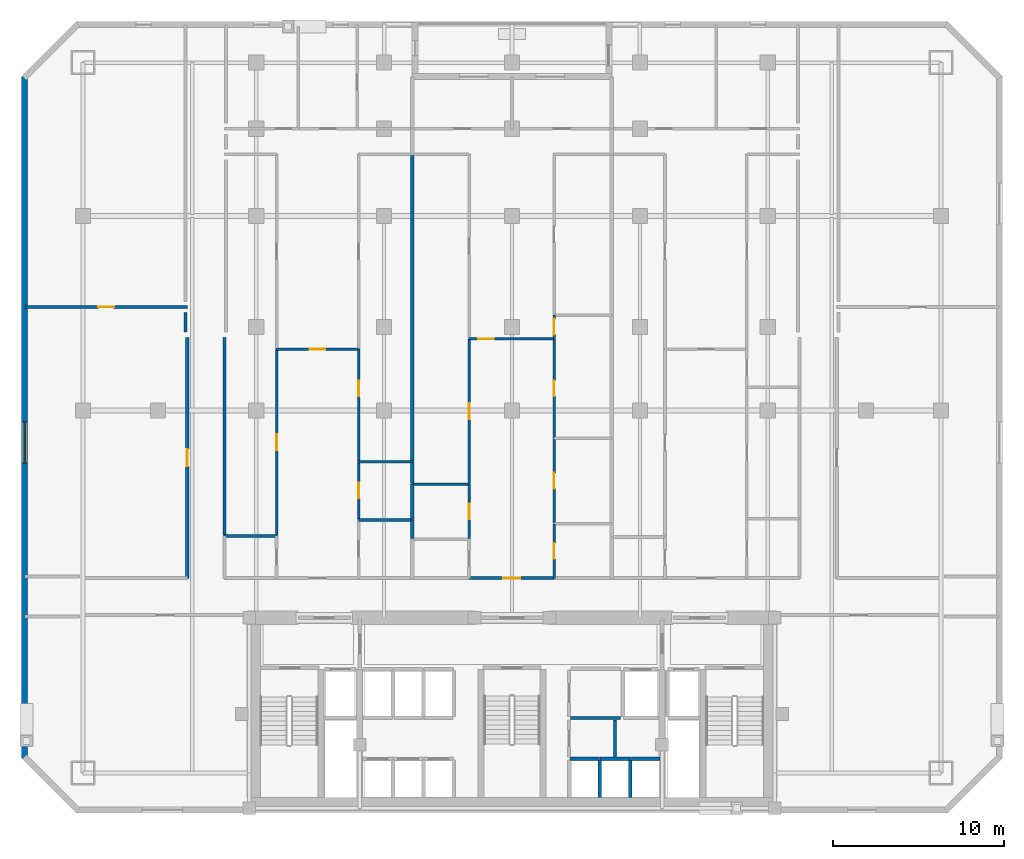
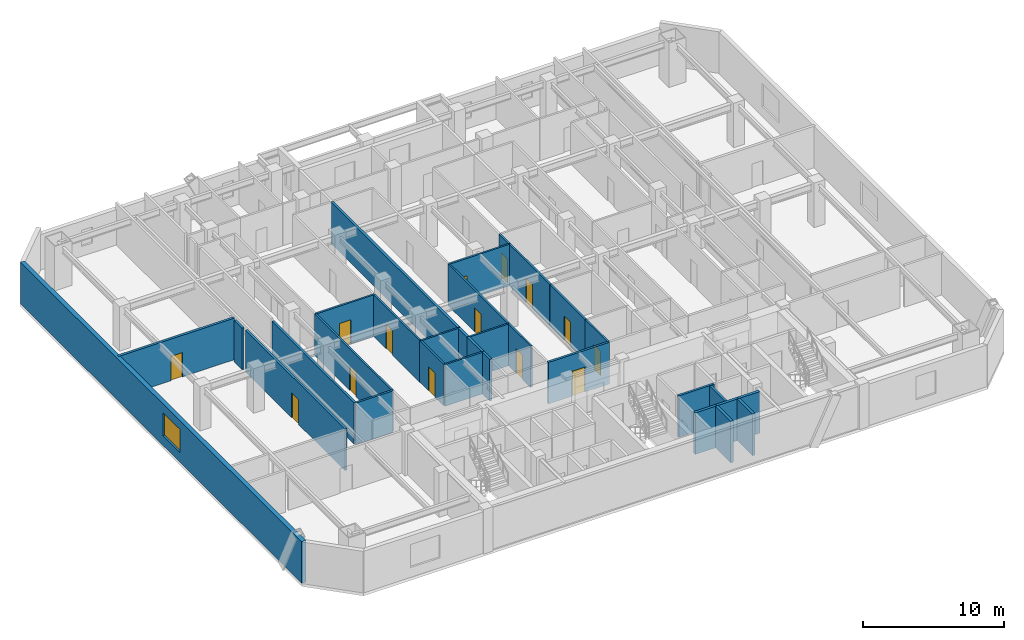
# One storey, part 4 of 9: 32 walls, 14 doors, 1 window, 15 openings.
"""IFC4 building model written with IfcOpenShell, lengths in metres."""

from ifc_helpers import new_model, si_unit, direction, frame, frame_2d, origin, place, context, subcontext, project, spatial, rectangle, extrude, material, layer, layer_set, type_object, element, fill, save


model = new_model("IFC4")

# Units and contexts
model_context = context("Model", 3, precision=1e-05, world=origin(), true_north=direction((0.0, 1.0)))
body_context = subcontext(model_context, "Body", "Model", "MODEL_VIEW")
ifc_project = project(units=[si_unit("LENGTHUNIT", "METRE"), si_unit("AREAUNIT", "SQUARE_METRE"), si_unit("VOLUMEUNIT", "CUBIC_METRE"), si_unit("PLANEANGLEUNIT", "RADIAN"), si_unit("MASSUNIT", "GRAM", prefix="KILO")], contexts=[model_context])

# Site, building, storey
site_placement = place(None, origin())
site = spatial("IfcSite", under=ifc_project, at=site_placement, CompositionType="ELEMENT")
building_placement = place(site_placement, origin())
building = spatial("IfcBuilding", under=site, at=building_placement, Name="Ventersveld Concourse Tower", CompositionType="ELEMENT")
storey_placement = place(building_placement, frame((0.0, 0.0, 52.89990234375)))
storey = spatial("IfcBuildingStorey", under=building, at=storey_placement, Name="L12", CompositionType="ELEMENT", Elevation=52.89990234375)

# Walls
ifc_material_1 = material(Name="Fire-rated autoclaved aerated masonry blockwork", Category="masonry")
ifc_layer_1 = layer(ifc_material_1, 0.179931640625)
ifc_layer_set_1 = layer_set([ifc_layer_1], Name="Fire-rated autoclaved aerated masonry blockwork")
wall_type_1 = type_object("IfcWallType", Name="WL-CORR-180", PredefinedType="PARTITIONING", material=ifc_layer_set_1)
wall_1_placement = place(storey_placement, frame((32.179931640625, 5.570068359375, 0.0), z_axis=(0.0, 0.0, 1.0), x_axis=(1.0, 0.0, 0.0)))
element("IfcWall", 1, at=wall_1_placement, inside=storey, type_object=wall_type_1, Name="L12 Core Bot Wall SP-L12-CBAY1", PredefinedType="PARTITIONING", context=body_context, shape_type="SweptSolid", body=[
    extrude(rectangle(XDim=2.920166015625, YDim=0.179931640625, at=frame_2d((1.4599609375, 0.0))), origin(), (0.0, 0.0, 1.0), 3.60009765625),
])
wall_2_placement = place(storey_placement, frame((34.780029296875, 3.280029296875, 0.0), z_axis=(0.0, 0.0, 1.0), x_axis=(0.0, 1.0, 0.0)))
element("IfcWall", 2, at=wall_2_placement, inside=storey, type_object=wall_type_1, Name="L12 Core East Wall SP-L12-CBAY2", PredefinedType="PARTITIONING", context=body_context, shape_type="SweptSolid", body=[
    extrude(rectangle(XDim=2.169921875, YDim=0.179931640625, at=frame_2d((1.0849609375, 0.0))), origin(), (0.0, 0.0, 1.0), 3.60009765625),
])

# Wall, opening, door
wall_3_placement = place(storey_placement, frame((9.7099609375, 13.764892578125, 0.0), z_axis=(0.0, 0.0, 1.0), x_axis=(0.0, 1.0, 0.0)))
wall_3 = element("IfcWall", 3, at=wall_3_placement, inside=storey, type_object=wall_type_1, Name="L12 Interior Partition SP-L12-COR-SP-L12-NWLNG1", PredefinedType="PARTITIONING", context=body_context, shape_type="SweptSolid", body=[
    extrude(rectangle(XDim=14.130126953125, YDim=0.179931640625, at=frame_2d((7.06494140625, 0.0))), origin(), (0.0, 0.0, 1.0), 3.60009765625),
])
opening_1_placement = place(wall_3_placement, frame((6.56494140625, 0.0, 0.0)))
opening_1 = element("IfcOpeningElement", 4, at=opening_1_placement, cuts=wall_3, Name="Opening FD3", PredefinedType="OPENING", context=body_context, shape_type="SweptSolid", body=[
    extrude(rectangle(XDim=1.0, YDim=2.14990234375, at=frame_2d((0.5, 1.074951171875))), frame((0.0, 0.10009765625, 0.0), z_axis=(0.0, -1.0, 0.0), x_axis=(1.0, 0.0, 0.0)), (0.0, 0.0, 1.0), 0.199951171875),
])
ifc_material_2 = material(Name="Solid-core hardwood veneer timber", Category="wood")
door_type_1 = type_object("IfcDoorType", Name="DR-FLAT-100", OperationType="NOTDEFINED", PredefinedType="DOOR", material=ifc_material_2)
door_1_placement = place(opening_1_placement, origin())
door_1 = element("IfcDoor", 5, at=door_1_placement, inside=storey, type_object=door_type_1, Name="L12 Interior Door SP-L12-COR to SP-L12-NWLNG1 (D-L12-0489)", OperationType="SINGLE_SWING_LEFT", OverallHeight=2.14990234375, OverallWidth=1.0, PredefinedType="DOOR", context=body_context, shape_type="SweptSolid", body=[
    extrude(rectangle(XDim=1.0, YDim=2.14990234375, at=frame_2d((0.5, 1.074951171875))), frame((0.0, 0.02490234375, 0.0), z_axis=(0.0, -1.0, 0.0), x_axis=(1.0, 0.0, 0.0)), (0.0, 0.0, 1.0), 0.050048828125),
])
fill(opening_1, door_1)

# Wall
wall_4_placement = place(storey_placement, frame((11.889892578125, 16.275390625, 0.0), z_axis=(0.0, 0.0, 1.0), x_axis=(0.0, 1.0, 0.0)))
element("IfcWall", 6, at=wall_4_placement, inside=storey, type_object=wall_type_1, Name="L12 Interior Partition SP-L12-COR-SP-L12-12CW-OFFL0", PredefinedType="PARTITIONING", context=body_context, shape_type="SweptSolid", body=[
    extrude(rectangle(XDim=11.61962890625, YDim=0.179931640625, at=frame_2d((5.809814453125, 0.0))), origin(), (0.0, 0.0, 1.0), 3.60009765625),
])

# Wall, opening, door
wall_5_placement = place(storey_placement, frame((26.231201171875, 13.77001953125, 0.0), z_axis=(0.0, 0.0, 1.0), x_axis=(1.0, 0.0, 0.0)))
wall_5 = element("IfcWall", 7, at=wall_5_placement, inside=storey, type_object=wall_type_1, Name="L12 Interior Partition SP-L12-COR-SP-L12-12CM-FOY", PredefinedType="PARTITIONING", context=body_context, shape_type="SweptSolid", body=[
    extrude(rectangle(XDim=4.989990234375, YDim=0.179931640625, at=frame_2d((2.4951171875, 0.0))), origin(), (0.0, 0.0, 1.0), 3.60009765625),
])
opening_2_placement = place(wall_5_placement, frame((1.9951171875, 0.0, 0.0)))
opening_2 = element("IfcOpeningElement", 8, at=opening_2_placement, cuts=wall_5, Name="Opening FD3", PredefinedType="OPENING", context=body_context, shape_type="SweptSolid", body=[
    extrude(rectangle(XDim=1.0, YDim=2.14990234375, at=frame_2d((0.5, 1.074951171875))), frame((0.0, 0.10009765625, 0.0), z_axis=(0.0, -1.0, 0.0), x_axis=(1.0, 0.0, 0.0)), (0.0, 0.0, 1.0), 0.199951171875),
])
door_2_placement = place(opening_2_placement, origin())
door_2 = element("IfcDoor", 9, at=door_2_placement, inside=storey, type_object=door_type_1, Name="L12 Interior Door SP-L12-COR to SP-L12-12CM-FOY (FD-L12-0493)", OperationType="SINGLE_SWING_LEFT", OverallHeight=2.14990234375, OverallWidth=1.0, PredefinedType="DOOR", context=body_context, shape_type="SweptSolid", body=[
    extrude(rectangle(XDim=1.0, YDim=2.14990234375, at=frame_2d((0.5, 1.074951171875))), frame((0.0, 0.02490234375, 0.0), z_axis=(0.0, -1.0, 0.0), x_axis=(1.0, 0.0, 0.0)), (0.0, 0.0, 1.0), 0.050048828125),
])
fill(opening_2, door_2)

# Wall
wall_6_placement = place(storey_placement, frame((9.6201171875, 29.344970703125, 0.0), z_axis=(0.0, 0.0, 1.0), x_axis=(0.0, -1.0, 0.0)))
element("IfcWall", 10, at=wall_6_placement, inside=storey, type_object=wall_type_1, Name="L12 Room Enclosure Wall SP-L12-NWLNG1", PredefinedType="PARTITIONING", context=body_context, shape_type="SweptSolid", body=[
    extrude(rectangle(XDim=1.135009765625, YDim=0.179931640625, at=frame_2d((0.5673828125, 0.0))), origin(), (0.0, 0.0, 1.0), 3.60009765625),
])

# Wall, opening, door
ifc_layer_2 = layer(ifc_material_1, 0.199951171875)
ifc_layer_set_2 = layer_set([ifc_layer_2], Name="Fire-rated autoclaved aerated masonry blockwork")
wall_type_2 = type_object("IfcWallType", Name="WL-DEMISE-200", PredefinedType="PARTITIONING", material=ifc_layer_set_2)
wall_7_placement = place(storey_placement, frame((0.2099609375, 29.669921875, 0.0), z_axis=(0.0, 0.0, 1.0), x_axis=(1.0, 0.0, 0.0)))
wall_7 = element("IfcWall", 11, at=wall_7_placement, inside=storey, type_object=wall_type_2, Name="L12 Interior Partition SP-L12-NWLNG1-SP-L12-NWLNG2", PredefinedType="PARTITIONING", context=body_context, shape_type="SweptSolid", body=[
    extrude(rectangle(XDim=9.505126953125, YDim=0.199951171875, at=frame_2d((4.75244140625, 0.0))), origin(), (0.0, 0.0, 1.0), 3.60009765625),
])
opening_3_placement = place(wall_7_placement, frame((4.29248046875, 0.0, 0.0)))
opening_3 = element("IfcOpeningElement", 12, at=opening_3_placement, cuts=wall_7, Name="Opening ID1", PredefinedType="OPENING", context=body_context, shape_type="SweptSolid", body=[
    extrude(rectangle(XDim=0.919921875, YDim=2.10009765625, at=frame_2d((0.4599609375, 1.050048828125))), frame((0.0, 0.10986328125, 0.0), z_axis=(0.0, -1.0, 0.0), x_axis=(1.0, 0.0, 0.0)), (0.0, 0.0, 1.0), 0.219970703125),
])
door_type_2 = type_object("IfcDoorType", Name="DR-ROOM-092", OperationType="NOTDEFINED", PredefinedType="DOOR", material=ifc_material_2)
door_3_placement = place(opening_3_placement, origin())
door_3 = element("IfcDoor", 13, at=door_3_placement, inside=storey, type_object=door_type_2, Name="L12 Interior Door SP-L12-NWLNG1 to SP-L12-NWLNG2 (D-L12-0494)", OperationType="SINGLE_SWING_RIGHT", OverallHeight=2.10009765625, OverallWidth=0.919921875, PredefinedType="DOOR", context=body_context, shape_type="SweptSolid", body=[
    extrude(rectangle(XDim=0.919921875, YDim=2.10009765625, at=frame_2d((0.4599609375, 1.050048828125))), frame((0.0, 0.02490234375, 0.0), z_axis=(0.0, -1.0, 0.0), x_axis=(1.0, 0.0, 0.0)), (0.0, 0.0, 1.0), 0.050048828125),
])
fill(opening_3, door_3)

# Walls
wall_8_placement = place(storey_placement, frame((22.909912109375, 16.082763671875, 0.0), z_axis=(0.0, 0.0, 1.0), x_axis=(0.0, 1.0, 0.0)))
element("IfcWall", 14, at=wall_8_placement, inside=storey, type_object=wall_type_2, Name="L12 Interior Partition SP-L12-12CW-KIT-SP-L12-12CM-PANL0", PredefinedType="PARTITIONING", context=body_context, shape_type="SweptSolid", body=[
    extrude(rectangle(XDim=1.1025390625, YDim=0.199951171875, at=frame_2d((0.55126953125, 0.0))), origin(), (0.0, 0.0, 1.0), 3.60009765625),
])
wall_9_placement = place(storey_placement, frame((22.909912109375, 17.21533203125, 0.0), z_axis=(0.0, 0.0, 1.0), x_axis=(0.0, 1.0, 0.0)))
element("IfcWall", 15, at=wall_9_placement, inside=storey, type_object=wall_type_2, Name="L12 Interior Partition SP-L12-12CW-PANR1-SP-L12-12CM-PANL0", PredefinedType="PARTITIONING", context=body_context, shape_type="SweptSolid", body=[
    extrude(rectangle(XDim=2.06884765625, YDim=0.199951171875, at=frame_2d((1.034423828125, 0.0))), origin(), (0.0, 0.0, 1.0), 3.60009765625),
])
wall_10_placement = place(storey_placement, frame((22.909912109375, 19.314208984375, 0.0), z_axis=(0.0, 0.0, 1.0), x_axis=(0.0, 1.0, 0.0)))
element("IfcWall", 16, at=wall_10_placement, inside=storey, type_object=wall_type_2, Name="L12 Interior Partition SP-L12-12CW-PANR1-SP-L12-12CM-DENL", PredefinedType="PARTITIONING", context=body_context, shape_type="SweptSolid", body=[
    extrude(rectangle(XDim=1.281494140625, YDim=0.199951171875, at=frame_2d((0.640625, 0.0))), origin(), (0.0, 0.0, 1.0), 3.60009765625),
])
wall_11_placement = place(storey_placement, frame((22.909912109375, 20.62548828125, 0.0), z_axis=(0.0, 0.0, 1.0), x_axis=(0.0, 1.0, 0.0)))
element("IfcWall", 17, at=wall_11_placement, inside=storey, type_object=wall_type_2, Name="L12 Interior Partition SP-L12-12CW-DENR-SP-L12-12CM-DENL", PredefinedType="PARTITIONING", context=body_context, shape_type="SweptSolid", body=[
    extrude(rectangle(XDim=17.95947265625, YDim=0.199951171875, at=frame_2d((8.979736328125, 0.0))), origin(), (0.0, 0.0, 1.0), 3.60009765625),
])
ifc_layer_3 = layer(ifc_material_1, 0.219970703125)
ifc_layer_set_3 = layer_set([ifc_layer_3], Name="Fire-rated autoclaved aerated masonry blockwork")
wall_type_3 = type_object("IfcWallType", Name="WL-HOIST-220", PredefinedType="SOLIDWALL", material=ifc_layer_set_3)
wall_12_placement = place(storey_placement, frame((33.89990234375, 0.89990234375, 0.0), z_axis=(0.0, 0.0, 1.0), x_axis=(0.0, 1.0, 0.0)))
element("IfcWall", 18, at=wall_12_placement, inside=storey, type_object=wall_type_3, Name="L12 Lift Hoistway Side Wall PM-01E", PredefinedType="SOLIDWALL", context=body_context, shape_type="SweptSolid", body=[
    extrude(rectangle(XDim=2.2001953125, YDim=0.219970703125, at=frame_2d((1.10009765625, 0.0))), origin(), (0.0, 0.0, 1.0), 3.60009765625),
])
wall_13_placement = place(storey_placement, frame((32.139892578125, 3.179931640625, 0.0), z_axis=(0.0, 0.0, 1.0), x_axis=(1.0, 0.0, 0.0)))
element("IfcWall", 19, at=wall_13_placement, inside=storey, type_object=wall_type_3, Name="L12 Lift Hoistway Front Wall PM-01", PredefinedType="SOLIDWALL", context=body_context, shape_type="SweptSolid", body=[
    extrude(rectangle(XDim=1.739990234375, YDim=0.219970703125, at=frame_2d((0.8701171875, 0.0))), origin(), (0.0, 0.0, 1.0), 3.60009765625),
])
wall_14_placement = place(storey_placement, frame((35.679931640625, 0.89990234375, 0.0), z_axis=(0.0, 0.0, 1.0), x_axis=(0.0, 1.0, 0.0)))
element("IfcWall", 20, at=wall_14_placement, inside=storey, type_object=wall_type_3, Name="L12 Lift Hoistway Side Wall PM-02E", PredefinedType="SOLIDWALL", context=body_context, shape_type="SweptSolid", body=[
    extrude(rectangle(XDim=2.2001953125, YDim=0.219970703125, at=frame_2d((1.10009765625, 0.0))), origin(), (0.0, 0.0, 1.0), 3.60009765625),
])
for number, where, z_axis, x_axis, name in (
    (21, (33.919921875, 3.179931640625, 0.0), (0.0, 0.0, 1.0), (1.0, 0.0, 0.0), "L12 Lift Hoistway Front Wall PM-02"),
    (22, (35.699951171875, 3.179931640625, 0.0), (0.0, 0.0, 1.0), (1.0, 0.0, 0.0), "L12 Lift Hoistway Front Wall PM-03"),
):
    element("IfcWall", number, at=place(storey_placement, frame(where, z_axis=z_axis, x_axis=x_axis)), inside=storey, type_object=wall_type_3, Name=name, PredefinedType="SOLIDWALL", context=body_context, shape_type="SweptSolid", body=[
        extrude(rectangle(XDim=1.739990234375, YDim=0.219970703125, at=frame_2d((0.8701171875, 0.0))), origin(), (0.0, 0.0, 1.0), 3.60009765625),
    ])

# Wall, opening, door
ifc_material_3 = material(Name="Autoclaved aerated masonry blockwork", Category="masonry")
ifc_layer_4 = layer(ifc_material_3, 0.14990234375)
ifc_layer_set_4 = layer_set([ifc_layer_4], Name="Autoclaved aerated masonry blockwork")
wall_type_4 = type_object("IfcWallType", Name="WL-INT-150", PredefinedType="PARTITIONING", material=ifc_layer_set_4)
wall_15_placement = place(storey_placement, frame((14.94677734375, 27.194580078125, 0.0), z_axis=(0.0, 0.0, 1.0), x_axis=(1.0, 0.0, 0.0)))
wall_15 = element("IfcWall", 23, at=wall_15_placement, inside=storey, type_object=wall_type_4, Name="L12 Interior Partition SP-L12-12CW-FOY-SP-L12-12CW-LIV", PredefinedType="PARTITIONING", context=body_context, shape_type="SweptSolid", body=[
    extrude(rectangle(XDim=4.81640625, YDim=0.14990234375, at=frame_2d((2.408203125, 0.0))), origin(), (0.0, 0.0, 1.0), 3.60009765625),
])
opening_4_placement = place(wall_15_placement, frame((1.9482421875, 0.0, 0.0)))
opening_4 = element("IfcOpeningElement", 24, at=opening_4_placement, cuts=wall_15, Name="Opening ID1", PredefinedType="OPENING", context=body_context, shape_type="SweptSolid", body=[
    extrude(rectangle(XDim=0.919921875, YDim=2.10009765625, at=frame_2d((0.4599609375, 1.050048828125))), frame((0.0, 0.0849609375, 0.0), z_axis=(0.0, -1.0, 0.0), x_axis=(1.0, 0.0, 0.0)), (0.0, 0.0, 1.0), 0.169921875),
])
door_4_placement = place(opening_4_placement, origin())
door_4 = element("IfcDoor", 25, at=door_4_placement, inside=storey, type_object=door_type_2, Name="L12 Interior Door SP-L12-12CW-FOY to SP-L12-12CW-LIV (D-L12-0496)", OperationType="SINGLE_SWING_RIGHT", OverallHeight=2.10009765625, OverallWidth=0.919921875, PredefinedType="DOOR", context=body_context, shape_type="SweptSolid", body=[
    extrude(rectangle(XDim=0.919921875, YDim=2.10009765625, at=frame_2d((0.4599609375, 1.050048828125))), frame((0.0, 0.02490234375, 0.0), z_axis=(0.0, -1.0, 0.0), x_axis=(1.0, 0.0, 0.0)), (0.0, 0.0, 1.0), 0.050048828125),
])
fill(opening_4, door_4)

wall_16_placement = place(storey_placement, frame((14.95166015625, 16.275390625, 0.0), z_axis=(0.0, 0.0, 1.0), x_axis=(0.0, 1.0, 0.0)))
wall_16 = element("IfcWall", 26, at=wall_16_placement, inside=storey, type_object=wall_type_4, Name="L12 Interior Partition SP-L12-12CW-FOY-SP-L12-12CW-OFFL0", PredefinedType="PARTITIONING", context=body_context, shape_type="SweptSolid", body=[
    extrude(rectangle(XDim=10.92431640625, YDim=0.14990234375, at=frame_2d((5.462158203125, 0.0))), origin(), (0.0, 0.0, 1.0), 3.60009765625),
])
opening_5_placement = place(wall_16_placement, frame((5.002197265625, 0.0, 0.0)))
opening_5 = element("IfcOpeningElement", 27, at=opening_5_placement, cuts=wall_16, Name="Opening ID1", PredefinedType="OPENING", context=body_context, shape_type="SweptSolid", body=[
    extrude(rectangle(XDim=0.919921875, YDim=2.10009765625, at=frame_2d((0.4599609375, 1.050048828125))), frame((0.0, 0.0849609375, 0.0), z_axis=(0.0, -1.0, 0.0), x_axis=(1.0, 0.0, 0.0)), (0.0, 0.0, 1.0), 0.169921875),
])
door_5_placement = place(opening_5_placement, origin())
door_5 = element("IfcDoor", 28, at=door_5_placement, inside=storey, type_object=door_type_2, Name="L12 Interior Door SP-L12-12CW-FOY to SP-L12-12CW-OFFL0 (D-L12-0498)", OperationType="SINGLE_SWING_RIGHT", OverallHeight=2.10009765625, OverallWidth=0.919921875, PredefinedType="DOOR", context=body_context, shape_type="SweptSolid", body=[
    extrude(rectangle(XDim=0.919921875, YDim=2.10009765625, at=frame_2d((0.4599609375, 1.050048828125))), frame((0.0, 0.02490234375, 0.0), z_axis=(0.0, -1.0, 0.0), x_axis=(1.0, 0.0, 0.0)), (0.0, 0.0, 1.0), 0.050048828125),
])
fill(opening_5, door_5)

wall_17_placement = place(storey_placement, frame((19.758056640625, 17.21533203125, 0.0), z_axis=(0.0, 0.0, 1.0), x_axis=(0.0, 1.0, 0.0)))
wall_17 = element("IfcWall", 29, at=wall_17_placement, inside=storey, type_object=wall_type_4, Name="L12 Interior Partition SP-L12-12CW-FOY-SP-L12-12CW-PANR1", PredefinedType="PARTITIONING", context=body_context, shape_type="SweptSolid", body=[
    extrude(rectangle(XDim=3.38037109375, YDim=0.14990234375, at=frame_2d((1.690185546875, 0.0))), origin(), (0.0, 0.0, 1.0), 3.60009765625),
])
opening_6_placement = place(wall_17_placement, frame((1.22998046875, 0.0, 0.0)))
opening_6 = element("IfcOpeningElement", 30, at=opening_6_placement, cuts=wall_17, Name="Opening ID1", PredefinedType="OPENING", context=body_context, shape_type="SweptSolid", body=[
    extrude(rectangle(XDim=0.919921875, YDim=2.10009765625, at=frame_2d((0.4599609375, 1.050048828125))), frame((0.0, 0.0849609375, 0.0), z_axis=(0.0, -1.0, 0.0), x_axis=(1.0, 0.0, 0.0)), (0.0, 0.0, 1.0), 0.169921875),
])
door_6_placement = place(opening_6_placement, origin())
door_6 = element("IfcDoor", 31, at=door_6_placement, inside=storey, type_object=door_type_2, Name="L12 Interior Door SP-L12-12CW-FOY to SP-L12-12CW-PANR1 (D-L12-0500)", OperationType="SINGLE_SWING_RIGHT", OverallHeight=2.10009765625, OverallWidth=0.919921875, PredefinedType="DOOR", context=body_context, shape_type="SweptSolid", body=[
    extrude(rectangle(XDim=0.919921875, YDim=2.10009765625, at=frame_2d((0.4599609375, 1.050048828125))), frame((0.0, 0.02490234375, 0.0), z_axis=(0.0, -1.0, 0.0), x_axis=(1.0, 0.0, 0.0)), (0.0, 0.0, 1.0), 0.050048828125),
])
fill(opening_6, door_6)

wall_18_placement = place(storey_placement, frame((19.758056640625, 20.62548828125, 0.0), z_axis=(0.0, 0.0, 1.0), x_axis=(0.0, 1.0, 0.0)))
wall_18 = element("IfcWall", 32, at=wall_18_placement, inside=storey, type_object=wall_type_4, Name="L12 Interior Partition SP-L12-12CW-FOY-SP-L12-12CW-DENR", PredefinedType="PARTITIONING", context=body_context, shape_type="SweptSolid", body=[
    extrude(rectangle(XDim=6.57421875, YDim=0.14990234375, at=frame_2d((3.287109375, 0.0))), origin(), (0.0, 0.0, 1.0), 3.60009765625),
])
opening_7_placement = place(wall_18_placement, frame((3.81298828125, 0.0, 0.0)))
opening_7 = element("IfcOpeningElement", 33, at=opening_7_placement, cuts=wall_18, Name="Opening ID1", PredefinedType="OPENING", context=body_context, shape_type="SweptSolid", body=[
    extrude(rectangle(XDim=0.919921875, YDim=2.10009765625, at=frame_2d((0.4599609375, 1.050048828125))), frame((0.0, 0.0849609375, 0.0), z_axis=(0.0, -1.0, 0.0), x_axis=(1.0, 0.0, 0.0)), (0.0, 0.0, 1.0), 0.169921875),
])
door_7_placement = place(opening_7_placement, origin())
door_7 = element("IfcDoor", 34, at=door_7_placement, inside=storey, type_object=door_type_2, Name="L12 Interior Door SP-L12-12CW-FOY to SP-L12-12CW-DENR (D-L12-0501)", OperationType="SINGLE_SWING_LEFT", OverallHeight=2.10009765625, OverallWidth=0.919921875, PredefinedType="DOOR", context=body_context, shape_type="SweptSolid", body=[
    extrude(rectangle(XDim=0.919921875, YDim=2.10009765625, at=frame_2d((0.4599609375, 1.050048828125))), frame((0.0, 0.02490234375, 0.0), z_axis=(0.0, -1.0, 0.0), x_axis=(1.0, 0.0, 0.0)), (0.0, 0.0, 1.0), 0.050048828125),
])
fill(opening_7, door_7)

# Walls
for number, where, z_axis, x_axis, name in (
    (35, (19.753173828125, 17.180419921875, 0.0), (0.0, 0.0, 1.0), (1.0, 0.0, 0.0), "L12 Interior Partition SP-L12-12CW-KIT-SP-L12-12CW-PANR1"),
    (36, (19.753173828125, 20.590576171875, 0.0), (0.0, 0.0, 1.0), (1.0, 0.0, 0.0), "L12 Interior Partition SP-L12-12CW-PANR1-SP-L12-12CW-DENR"),
):
    element("IfcWall", number, at=place(storey_placement, frame(where, z_axis=z_axis, x_axis=x_axis)), inside=storey, type_object=wall_type_4, Name=name, PredefinedType="PARTITIONING", context=body_context, shape_type="SweptSolid", body=[
        extrude(rectangle(XDim=3.161865234375, YDim=0.14990234375, at=frame_2d((1.5810546875, 0.0))), origin(), (0.0, 0.0, 1.0), 3.60009765625),
    ])

# Wall, opening, door
wall_19_placement = place(storey_placement, frame((26.231201171875, 27.7958984375, 0.0), z_axis=(0.0, 0.0, 1.0), x_axis=(1.0, 0.0, 0.0)))
wall_19 = element("IfcWall", 37, at=wall_19_placement, inside=storey, type_object=wall_type_4, Name="L12 Interior Partition SP-L12-12CM-FOY-SP-L12-12CM-LIV", PredefinedType="PARTITIONING", context=body_context, shape_type="SweptSolid", body=[
    extrude(rectangle(XDim=4.989990234375, YDim=0.14990234375, at=frame_2d((2.4951171875, 0.0))), origin(), (0.0, 0.0, 1.0), 3.60009765625),
])
opening_8_placement = place(wall_19_placement, frame((0.5380859375, 0.0, 0.0)))
opening_8 = element("IfcOpeningElement", 38, at=opening_8_placement, cuts=wall_19, Name="Opening ID1", PredefinedType="OPENING", context=body_context, shape_type="SweptSolid", body=[
    extrude(rectangle(XDim=0.919921875, YDim=2.10009765625, at=frame_2d((0.4599609375, 1.050048828125))), frame((0.0, 0.0849609375, 0.0), z_axis=(0.0, -1.0, 0.0), x_axis=(1.0, 0.0, 0.0)), (0.0, 0.0, 1.0), 0.169921875),
])
door_8_placement = place(opening_8_placement, origin())
door_8 = element("IfcDoor", 39, at=door_8_placement, inside=storey, type_object=door_type_2, Name="L12 Interior Door SP-L12-12CM-FOY to SP-L12-12CM-LIV (D-L12-0517)", OperationType="SINGLE_SWING_LEFT", OverallHeight=2.10009765625, OverallWidth=0.919921875, PredefinedType="DOOR", context=body_context, shape_type="SweptSolid", body=[
    extrude(rectangle(XDim=0.919921875, YDim=2.10009765625, at=frame_2d((0.4599609375, 1.050048828125))), frame((0.0, 0.02490234375, 0.0), z_axis=(0.0, -1.0, 0.0), x_axis=(1.0, 0.0, 0.0)), (0.0, 0.0, 1.0), 0.050048828125),
])
fill(opening_8, door_8)

wall_20_placement = place(storey_placement, frame((26.236083984375, 16.082763671875, 0.0), z_axis=(0.0, 0.0, 1.0), x_axis=(0.0, 1.0, 0.0)))
wall_20 = element("IfcWall", 40, at=wall_20_placement, inside=storey, type_object=wall_type_4, Name="L12 Interior Partition SP-L12-12CM-FOY-SP-L12-12CM-PANL0", PredefinedType="PARTITIONING", context=body_context, shape_type="SweptSolid", body=[
    extrude(rectangle(XDim=3.201416015625, YDim=0.14990234375, at=frame_2d((1.6005859375, 0.0))), origin(), (0.0, 0.0, 1.0), 3.60009765625),
])
opening_9_placement = place(wall_20_placement, frame((1.140625, 0.0, 0.0)))
opening_9 = element("IfcOpeningElement", 41, at=opening_9_placement, cuts=wall_20, Name="Opening ID1", PredefinedType="OPENING", context=body_context, shape_type="SweptSolid", body=[
    extrude(rectangle(XDim=0.919921875, YDim=2.10009765625, at=frame_2d((0.4599609375, 1.050048828125))), frame((0.0, 0.0849609375, 0.0), z_axis=(0.0, -1.0, 0.0), x_axis=(1.0, 0.0, 0.0)), (0.0, 0.0, 1.0), 0.169921875),
])
door_9_placement = place(opening_9_placement, origin())
door_9 = element("IfcDoor", 42, at=door_9_placement, inside=storey, type_object=door_type_2, Name="L12 Interior Door SP-L12-12CM-FOY to SP-L12-12CM-PANL0 (D-L12-0519)", OperationType="SINGLE_SWING_LEFT", OverallHeight=2.10009765625, OverallWidth=0.919921875, PredefinedType="DOOR", context=body_context, shape_type="SweptSolid", body=[
    extrude(rectangle(XDim=0.919921875, YDim=2.10009765625, at=frame_2d((0.4599609375, 1.050048828125))), frame((0.0, 0.02490234375, 0.0), z_axis=(0.0, -1.0, 0.0), x_axis=(1.0, 0.0, 0.0)), (0.0, 0.0, 1.0), 0.050048828125),
])
fill(opening_9, door_9)

wall_21_placement = place(storey_placement, frame((26.236083984375, 19.314208984375, 0.0), z_axis=(0.0, 0.0, 1.0), x_axis=(0.0, 1.0, 0.0)))
wall_21 = element("IfcWall", 43, at=wall_21_placement, inside=storey, type_object=wall_type_4, Name="L12 Interior Partition SP-L12-12CM-FOY-SP-L12-12CM-DENL", PredefinedType="PARTITIONING", context=body_context, shape_type="SweptSolid", body=[
    extrude(rectangle(XDim=8.486572265625, YDim=0.14990234375, at=frame_2d((4.2431640625, 0.0))), origin(), (0.0, 0.0, 1.0), 3.60009765625),
])
opening_10_placement = place(wall_21_placement, frame((3.783203125, 0.0, 0.0)))
opening_10 = element("IfcOpeningElement", 44, at=opening_10_placement, cuts=wall_21, Name="Opening ID1", PredefinedType="OPENING", context=body_context, shape_type="SweptSolid", body=[
    extrude(rectangle(XDim=0.919921875, YDim=2.10009765625, at=frame_2d((0.4599609375, 1.050048828125))), frame((0.0, 0.0849609375, 0.0), z_axis=(0.0, -1.0, 0.0), x_axis=(1.0, 0.0, 0.0)), (0.0, 0.0, 1.0), 0.169921875),
])
door_10_placement = place(opening_10_placement, origin())
door_10 = element("IfcDoor", 45, at=door_10_placement, inside=storey, type_object=door_type_2, Name="L12 Interior Door SP-L12-12CM-FOY to SP-L12-12CM-DENL (D-L12-0520)", OperationType="SINGLE_SWING_RIGHT", OverallHeight=2.10009765625, OverallWidth=0.919921875, PredefinedType="DOOR", context=body_context, shape_type="SweptSolid", body=[
    extrude(rectangle(XDim=0.919921875, YDim=2.10009765625, at=frame_2d((0.4599609375, 1.050048828125))), frame((0.0, 0.02490234375, 0.0), z_axis=(0.0, -1.0, 0.0), x_axis=(1.0, 0.0, 0.0)), (0.0, 0.0, 1.0), 0.050048828125),
])
fill(opening_10, door_10)

wall_22_placement = place(storey_placement, frame((31.216064453125, 13.764892578125, 0.0), z_axis=(0.0, 0.0, 1.0), x_axis=(0.0, 1.0, 0.0)))
wall_22 = element("IfcWall", 46, at=wall_22_placement, inside=storey, type_object=wall_type_4, Name="L12 Interior Partition SP-L12-12CM-FOY-SP-L12-12CM-KIT", PredefinedType="PARTITIONING", context=body_context, shape_type="SweptSolid", body=[
    extrude(rectangle(XDim=3.19580078125, YDim=0.14990234375, at=frame_2d((1.597900390625, 0.0))), origin(), (0.0, 0.0, 1.0), 3.60009765625),
])
opening_11_placement = place(wall_22_placement, frame((1.1376953125, 0.0, 0.0)))
opening_11 = element("IfcOpeningElement", 47, at=opening_11_placement, cuts=wall_22, Name="Opening ID1", PredefinedType="OPENING", context=body_context, shape_type="SweptSolid", body=[
    extrude(rectangle(XDim=0.919921875, YDim=2.10009765625, at=frame_2d((0.4599609375, 1.050048828125))), frame((0.0, 0.0849609375, 0.0), z_axis=(0.0, -1.0, 0.0), x_axis=(1.0, 0.0, 0.0)), (0.0, 0.0, 1.0), 0.169921875),
])
door_11_placement = place(opening_11_placement, origin())
door_11 = element("IfcDoor", 48, at=door_11_placement, inside=storey, type_object=door_type_2, Name="L12 Interior Door SP-L12-12CM-FOY to SP-L12-12CM-KIT (D-L12-0521)", OperationType="SINGLE_SWING_LEFT", OverallHeight=2.10009765625, OverallWidth=0.919921875, PredefinedType="DOOR", context=body_context, shape_type="SweptSolid", body=[
    extrude(rectangle(XDim=0.919921875, YDim=2.10009765625, at=frame_2d((0.4599609375, 1.050048828125))), frame((0.0, 0.02490234375, 0.0), z_axis=(0.0, -1.0, 0.0), x_axis=(1.0, 0.0, 0.0)), (0.0, 0.0, 1.0), 0.050048828125),
])
fill(opening_11, door_11)

wall_23_placement = place(storey_placement, frame((31.216064453125, 16.99072265625, 0.0), z_axis=(0.0, 0.0, 1.0), x_axis=(0.0, 1.0, 0.0)))
wall_23 = element("IfcWall", 49, at=wall_23_placement, inside=storey, type_object=wall_type_4, Name="L12 Interior Partition SP-L12-12CM-FOY-SP-L12-12CM-MEDR1", PredefinedType="PARTITIONING", context=body_context, shape_type="SweptSolid", body=[
    extrude(rectangle(XDim=4.97607421875, YDim=0.14990234375, at=frame_2d((2.488037109375, 0.0))), origin(), (0.0, 0.0, 1.0), 3.60009765625),
])
opening_12_placement = place(wall_23_placement, frame((2.028076171875, 0.0, 0.0)))
opening_12 = element("IfcOpeningElement", 50, at=opening_12_placement, cuts=wall_23, Name="Opening ID1", PredefinedType="OPENING", context=body_context, shape_type="SweptSolid", body=[
    extrude(rectangle(XDim=0.919921875, YDim=2.10009765625, at=frame_2d((0.4599609375, 1.050048828125))), frame((0.0, 0.0849609375, 0.0), z_axis=(0.0, -1.0, 0.0), x_axis=(1.0, 0.0, 0.0)), (0.0, 0.0, 1.0), 0.169921875),
])
door_12_placement = place(opening_12_placement, origin())
door_12 = element("IfcDoor", 51, at=door_12_placement, inside=storey, type_object=door_type_2, Name="L12 Interior Door SP-L12-12CM-FOY to SP-L12-12CM-MEDR1 (D-L12-0522)", OperationType="SINGLE_SWING_RIGHT", OverallHeight=2.10009765625, OverallWidth=0.919921875, PredefinedType="DOOR", context=body_context, shape_type="SweptSolid", body=[
    extrude(rectangle(XDim=0.919921875, YDim=2.10009765625, at=frame_2d((0.4599609375, 1.050048828125))), frame((0.0, 0.02490234375, 0.0), z_axis=(0.0, -1.0, 0.0), x_axis=(1.0, 0.0, 0.0)), (0.0, 0.0, 1.0), 0.050048828125),
])
fill(opening_12, door_12)

wall_24_placement = place(storey_placement, frame((31.216064453125, 21.99658203125, 0.0), z_axis=(0.0, 0.0, 1.0), x_axis=(0.0, 1.0, 0.0)))
wall_24 = element("IfcWall", 52, at=wall_24_placement, inside=storey, type_object=wall_type_4, Name="L12 Interior Partition SP-L12-12CM-FOY-SP-L12-12CM-DENS", PredefinedType="PARTITIONING", context=body_context, shape_type="SweptSolid", body=[
    extrude(rectangle(XDim=5.80419921875, YDim=0.14990234375, at=frame_2d((2.902099609375, 0.0))), origin(), (0.0, 0.0, 1.0), 3.60009765625),
])
opening_13_placement = place(wall_24_placement, frame((2.44189453125, 0.0, 0.0)))
opening_13 = element("IfcOpeningElement", 53, at=opening_13_placement, cuts=wall_24, Name="Opening ID1", PredefinedType="OPENING", context=body_context, shape_type="SweptSolid", body=[
    extrude(rectangle(XDim=0.919921875, YDim=2.10009765625, at=frame_2d((0.4599609375, 1.050048828125))), frame((0.0, 0.0849609375, 0.0), z_axis=(0.0, -1.0, 0.0), x_axis=(1.0, 0.0, 0.0)), (0.0, 0.0, 1.0), 0.169921875),
])
door_13_placement = place(opening_13_placement, origin())
door_13 = element("IfcDoor", 54, at=door_13_placement, inside=storey, type_object=door_type_2, Name="L12 Interior Door SP-L12-12CM-FOY to SP-L12-12CM-DENS (D-L12-0523)", OperationType="SINGLE_SWING_LEFT", OverallHeight=2.10009765625, OverallWidth=0.919921875, PredefinedType="DOOR", context=body_context, shape_type="SweptSolid", body=[
    extrude(rectangle(XDim=0.919921875, YDim=2.10009765625, at=frame_2d((0.4599609375, 1.050048828125))), frame((0.0, 0.02490234375, 0.0), z_axis=(0.0, -1.0, 0.0), x_axis=(1.0, 0.0, 0.0)), (0.0, 0.0, 1.0), 0.050048828125),
])
fill(opening_13, door_13)

wall_25_placement = place(storey_placement, frame((31.216064453125, 27.830810546875, 0.0), z_axis=(0.0, 0.0, 1.0), x_axis=(0.0, 1.0, 0.0)))
wall_25 = element("IfcWall", 55, at=wall_25_placement, inside=storey, type_object=wall_type_4, Name="L12 Interior Partition SP-L12-12CM-LIV-SP-L12-12CM-DENS", PredefinedType="PARTITIONING", context=body_context, shape_type="SweptSolid", body=[
    extrude(rectangle(XDim=1.36279296875, YDim=0.14990234375, at=frame_2d((0.681396484375, 0.0))), origin(), (0.0, 0.0, 1.0), 3.60009765625),
])
opening_14_placement = place(wall_25_placement, frame((0.221435546875, 0.0, 0.0)))
opening_14 = element("IfcOpeningElement", 56, at=opening_14_placement, cuts=wall_25, Name="Opening ID1", PredefinedType="OPENING", context=body_context, shape_type="SweptSolid", body=[
    extrude(rectangle(XDim=0.919921875, YDim=2.10009765625, at=frame_2d((0.4599609375, 1.050048828125))), frame((0.0, 0.0849609375, 0.0), z_axis=(0.0, -1.0, 0.0), x_axis=(1.0, 0.0, 0.0)), (0.0, 0.0, 1.0), 0.169921875),
])
door_14_placement = place(opening_14_placement, origin())
door_14 = element("IfcDoor", 57, at=door_14_placement, inside=storey, type_object=door_type_2, Name="L12 Interior Door SP-L12-12CM-LIV to SP-L12-12CM-DENS (D-L12-0525)", OperationType="SINGLE_SWING_LEFT", OverallHeight=2.10009765625, OverallWidth=0.919921875, PredefinedType="DOOR", context=body_context, shape_type="SweptSolid", body=[
    extrude(rectangle(XDim=0.919921875, YDim=2.10009765625, at=frame_2d((0.4599609375, 1.050048828125))), frame((0.0, 0.02490234375, 0.0), z_axis=(0.0, -1.0, 0.0), x_axis=(1.0, 0.0, 0.0)), (0.0, 0.0, 1.0), 0.050048828125),
])
fill(opening_14, door_14)

# Wall
wall_26_placement = place(storey_placement, frame((22.905029296875, 19.279296875, 0.0), z_axis=(0.0, 0.0, 1.0), x_axis=(1.0, 0.0, 0.0)))
element("IfcWall", 58, at=wall_26_placement, inside=storey, type_object=wall_type_4, Name="L12 Interior Partition SP-L12-12CM-PANL0-SP-L12-12CM-DENL", PredefinedType="PARTITIONING", context=body_context, shape_type="SweptSolid", body=[
    extrude(rectangle(XDim=3.336181640625, YDim=0.14990234375, at=frame_2d((1.66796875, 0.0))), origin(), (0.0, 0.0, 1.0), 3.60009765625),
])

# Wall, opening, window
ifc_material_4 = material(Name="Precast concrete C45/55", Category="concrete")
ifc_layer_5 = layer(ifc_material_4, 0.35009765625)
ifc_layer_set_5 = layer_set([ifc_layer_5], Name="Precast concrete C45/55")
wall_type_5 = type_object("IfcWallType", Name="WL-PREC-350", PredefinedType="SOLIDWALL", material=ifc_layer_set_5)
wall_27_placement = place(storey_placement, frame((0.175048828125, 43.159912109375, 0.0), z_axis=(0.0, 0.0, 1.0), x_axis=(0.0, -1.0, 0.0)))
wall_27 = element("IfcWall", 59, at=wall_27_placement, inside=storey, type_object=wall_type_5, Name="L12 Highveld Precast Facade Wall E11", PredefinedType="SOLIDWALL", context=body_context, shape_type="SweptSolid", body=[
    extrude(rectangle(XDim=39.919921875, YDim=0.35009765625, at=frame_2d((19.9599609375, 0.0))), origin(), (0.0, 0.0, 1.0), 3.60009765625),
])
opening_15_placement = place(wall_27_placement, frame((20.239990234375, 0.0, 0.85009765625)))
opening_15 = element("IfcOpeningElement", 60, at=opening_15_placement, cuts=wall_27, Name="Opening W5", PredefinedType="OPENING", context=body_context, shape_type="SweptSolid", body=[
    extrude(rectangle(XDim=2.39990234375, YDim=2.0, at=frame_2d((1.199951171875, 1.0))), frame((0.0, 0.18505859375, 0.0), z_axis=(0.0, -1.0, 0.0), x_axis=(1.0, 0.0, 0.0)), (0.0, 0.0, 1.0), 0.3701171875),
])
ifc_material_5 = material(Name="Tempered acoustic Low-E IGU", Category="glass")
window_type = type_object("IfcWindowType", Name="WIN-240x210", PartitioningType="SINGLE_PANEL", PredefinedType="WINDOW", material=ifc_material_5)
window_placement = place(opening_15_placement, origin())
window = element("IfcWindow", 61, at=window_placement, inside=storey, type_object=window_type, Name="L12 Punched Low-E Window W-0080", OverallHeight=2.0, OverallWidth=2.39990234375, PartitioningType="SINGLE_PANEL", PredefinedType="WINDOW", context=body_context, shape_type="SweptSolid", body=[
    extrude(rectangle(XDim=2.39990234375, YDim=2.0, at=frame_2d((1.199951171875, 1.0))), frame((0.0, 0.030029296875, 0.0), z_axis=(0.0, -1.0, 0.0), x_axis=(1.0, 0.0, 0.0)), (0.0, 0.0, 1.0), 0.06005859375),
])
fill(opening_15, window)

# Wall
ifc_layer_6 = layer(ifc_material_3, 0.1650390625)
ifc_layer_set_6 = layer_set([ifc_layer_6], Name="Autoclaved aerated masonry blockwork")
wall_type_6 = type_object("IfcWallType", Name="WL-WET-165", PredefinedType="PLUMBINGWALL", material=ifc_layer_set_6)
wall_28_placement = place(storey_placement, frame((11.885009765625, 16.240234375, 0.0), z_axis=(0.0, 0.0, 1.0), x_axis=(1.0, 0.0, 0.0)))
element("IfcWall", 62, at=wall_28_placement, inside=storey, type_object=wall_type_6, Name="L12 Interior Partition SP-L12-12CW-BATH-SP-L12-12CW-OFFL0", PredefinedType="PLUMBINGWALL", context=body_context, shape_type="SweptSolid", body=[
    extrude(rectangle(XDim=3.07177734375, YDim=0.1650390625, at=frame_2d((1.535888671875, 0.0))), origin(), (0.0, 0.0, 1.0), 3.60009765625),
])

save(model, "model.ifc")
